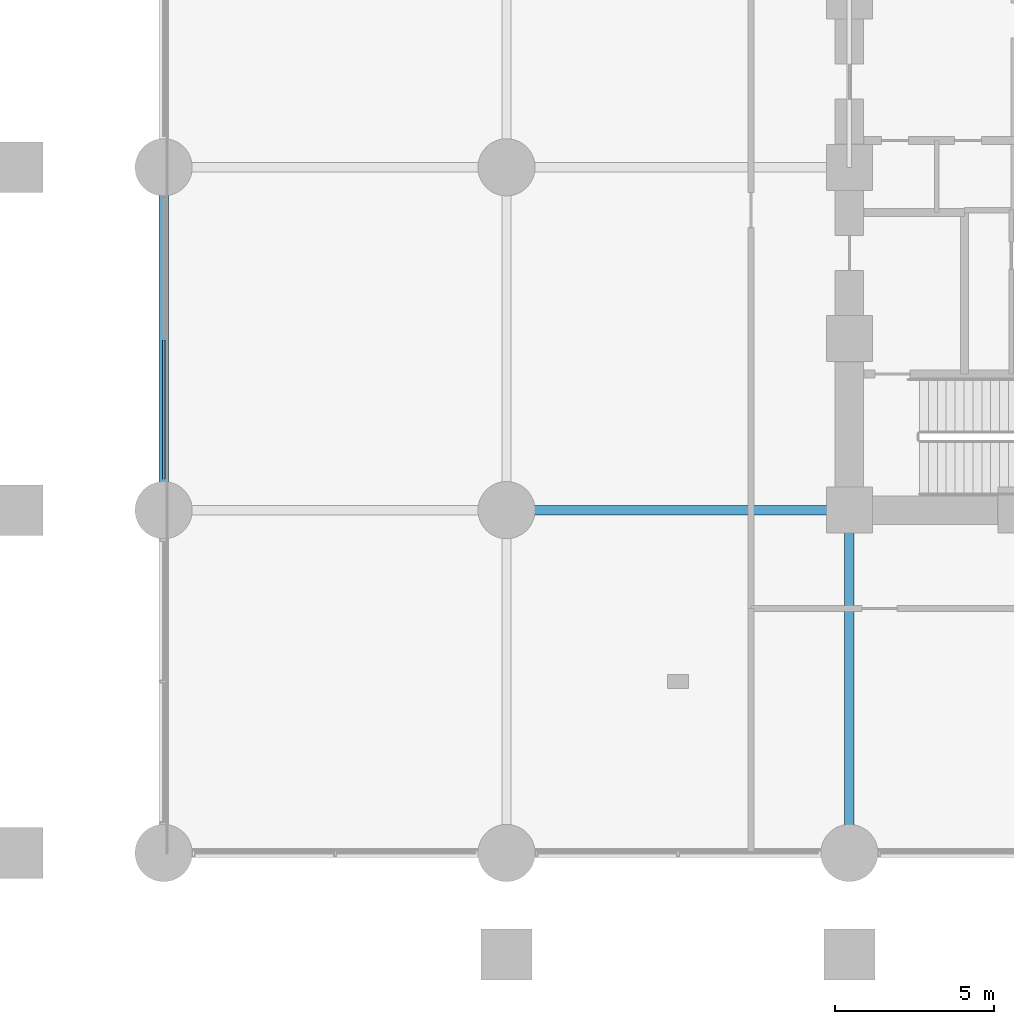
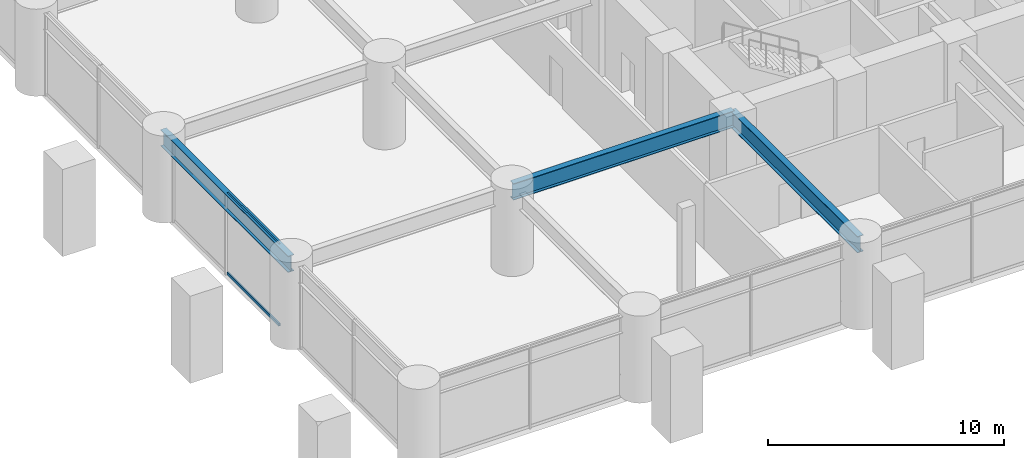
# One storey, part 5 of 31: 3 beams, 2 members, 1 element without a shape of its own.
"""IFC4 building model written with IfcOpenShell, lengths in metres."""

import ifcopenshell
import ifcopenshell.guid

model = None  # the IFC model being written
_history = None  # IfcOwnerHistory: only IFC2X3 demands one
_inside = {}  # id of a spatial element -> (the spatial element, [elements in it])
_under = {}  # id of a project, library or spatial element -> (it, [spatial elements below it])
_declared = {}  # id of a project -> (the project, [libraries it declares])
_typed = {}  # id of a type object -> (the type object, [elements of that type])
_made_of = {}  # id of a material, layer set ... -> (it, [elements and type objects made of it])


def new_model(schema):
    """Start an empty IFC model of exactly this schema.

    Asked for "IFC4X3", IfcOpenShell would pick the latest addendum, in which some entities
    have other attributes; the version numbers below select the first issue.
    IFC2X3 requires an IfcOwnerHistory on every rooted entity: one is made here for all.
    """
    global model, _history
    if schema == "IFC4X3":
        model = ifcopenshell.file(schema_version=(4, 3, 0, 0))
    else:
        model = ifcopenshell.file(schema=schema)
    _inside.clear()
    _under.clear()
    _declared.clear()
    _typed.clear()
    _made_of.clear()
    _history = None
    if model.schema == "IFC2X3":
        org = make("IfcOrganization", Name="unknown")
        user = make(
            "IfcPersonAndOrganization",
            ThePerson=make("IfcPerson", FamilyName="unknown"),
            TheOrganization=org,
        )
        app = make(
            "IfcApplication",
            ApplicationDeveloper=org,
            Version="unknown",
            ApplicationFullName="unknown",
            ApplicationIdentifier="unknown",
        )
        _history = make(
            "IfcOwnerHistory",
            OwningUser=user,
            OwningApplication=app,
            ChangeAction="ADDED",
            CreationDate=0,
        )
    return model


def make(cls, **values):
    """One entity of the class cls with the attributes given. An attribute that is None is left unset."""
    return model.create_entity(
        cls, **{name: value for name, value in values.items() if value is not None}
    )


def rooted(cls, **values):
    """An entity with a GlobalId (a new one), such as an element, a storey or a relation."""
    return make(cls, GlobalId=ifcopenshell.guid.new(), OwnerHistory=_history, **values)


def si_unit(unit_type, name, prefix=None):
    """IfcSIUnit, for example si_unit("LENGTHUNIT", "METRE", prefix="MILLI")."""
    return make("IfcSIUnit", UnitType=unit_type, Prefix=prefix, Name=name)


def assignment(units):
    """IfcUnitAssignment: the units of a project."""
    return None if units is None else make("IfcUnitAssignment", Units=units)


def point(xyz):
    """IfcCartesianPoint."""
    return None if xyz is None else make("IfcCartesianPoint", Coordinates=xyz)


def direction(xyz):
    """IfcDirection."""
    return None if xyz is None else make("IfcDirection", DirectionRatios=xyz)


def frame(location, z_axis=None, x_axis=None):
    """IfcAxis2Placement3D, a coordinate frame: its origin and axes. An axis left out is left unset."""
    return make(
        "IfcAxis2Placement3D",
        Location=point(location),
        Axis=direction(z_axis),
        RefDirection=direction(x_axis),
    )


def frame_2d(location, x_axis=None):
    """IfcAxis2Placement2D, a coordinate frame in the plane: its origin and x axis."""
    return make(
        "IfcAxis2Placement2D", Location=point(location), RefDirection=direction(x_axis)
    )


def origin():
    """The frame at (0, 0, 0) with its axes left unset."""
    return frame((0.0, 0.0, 0.0))


def origin_2d():
    """The frame at (0, 0) in the plane with its x axis left unset."""
    return frame_2d((0.0, 0.0))


def place(relative_to, where):
    """IfcLocalPlacement: puts the frame where relative to a parent placement (None: the world)."""
    return make(
        "IfcLocalPlacement", PlacementRelTo=relative_to, RelativePlacement=where
    )


def context(
    kind, dimensions, precision=None, world=None, true_north=None, identifier=None
):
    """IfcGeometricRepresentationContext, for example the 3D "Model" context."""
    return make(
        "IfcGeometricRepresentationContext",
        ContextIdentifier=identifier,
        ContextType=kind,
        CoordinateSpaceDimension=dimensions,
        Precision=precision,
        WorldCoordinateSystem=world,
        TrueNorth=true_north,
    )


def subcontext(parent, identifier, kind, view, scale=None):
    """IfcGeometricRepresentationSubContext, for example "Body" below "Model"."""
    return make(
        "IfcGeometricRepresentationSubContext",
        ContextIdentifier=identifier,
        ContextType=kind,
        ParentContext=parent,
        TargetScale=scale,
        TargetView=view,
    )


def project(units=None, contexts=None):
    """IfcProject with its units and contexts."""
    return rooted(
        "IfcProject",
        Name="project",
        RepresentationContexts=contexts,
        UnitsInContext=assignment(units),
    )


def spatial(cls, under=None, at=None, **own):
    """A site, building, storey or space (cls), placed at a placement, below another one or the project."""
    s = rooted(cls, ObjectPlacement=at, **own)
    if under is not None:
        _under.setdefault(under.id(), (under, []))[1].append(s)
    return s


def profile(cls, at=None, kind="AREA", **sizes):
    """A parametric profile (cls). Its sizes go by their IFC names, for example OverallWidth=200.0."""
    return make(cls, ProfileType=kind, Position=at, **sizes)


def hollow_rectangle(**sizes):
    """IfcRectangleHollowProfileDef."""
    return profile("IfcRectangleHollowProfileDef", **sizes)


def i_section(**sizes):
    """IfcIShapeProfileDef."""
    return profile("IfcIShapeProfileDef", **sizes)


def extrude(swept, where, along, depth):
    """IfcExtrudedAreaSolid: the profile swept, set in the frame where, extruded along a direction by depth."""
    return make(
        "IfcExtrudedAreaSolid",
        SweptArea=swept,
        Position=where,
        ExtrudedDirection=direction(along),
        Depth=depth,
    )


def shape(context_of_items, identifier, shape_type, items):
    """IfcShapeRepresentation: the items that make up one representation, for example the "Body"."""
    return make(
        "IfcShapeRepresentation",
        ContextOfItems=context_of_items,
        RepresentationIdentifier=identifier,
        RepresentationType=shape_type,
        Items=items,
    )


def material(Name=None, Category=None):
    """IfcMaterial."""
    return make("IfcMaterial", Name=Name, Category=Category)


def layer(
    of_material, thickness, ventilated=None, Name=None, Category=None, Priority=None
):
    """IfcMaterialLayer: one layer of a wall or slab, of a material (None: an air gap)."""
    return make(
        "IfcMaterialLayer",
        Material=of_material,
        LayerThickness=thickness,
        IsVentilated=ventilated,
        Name=Name,
        Category=Category,
        Priority=Priority,
    )


def layer_set(layers, Name=None):
    """IfcMaterialLayerSet."""
    return make("IfcMaterialLayerSet", MaterialLayers=layers, LayerSetName=Name)


def material_profile(
    of_material, cross_section, Name=None, Category=None, Priority=None
):
    """IfcMaterialProfile: a cross section and its material."""
    return make(
        "IfcMaterialProfile",
        Name=Name,
        Material=of_material,
        Profile=cross_section,
        Priority=Priority,
        Category=Category,
    )


def profile_set(profiles, Name=None, composite=None):
    """IfcMaterialProfileSet."""
    return make(
        "IfcMaterialProfileSet",
        Name=Name,
        MaterialProfiles=profiles,
        CompositeProfile=composite,
    )


def made_of(thing, what):
    """Note that an element or type object is made of a material, layer set ...; save() writes the relation."""
    if what is not None:
        _made_of.setdefault(what.id(), (what, []))[1].append(thing)
    return thing


def type_object(cls, material=None, **own):
    """A type object (cls), such as IfcWallType, which elements share."""
    return made_of(rooted(cls, **own), material)


def element(
    cls,
    number,
    at=None,
    inside=None,
    cuts=None,
    type_object=None,
    material=None,
    context=None,
    identifier="Body",
    shape_type=None,
    held_by="IfcProductDefinitionShape",
    body=None,
    shapes=None,
    **own,
):
    """One element of the class cls, such as IfcWall. Its Tag is "e" and its number.

    at: its placement. inside: the storey or other place that contains it. cuts: it is an
    opening in that element (IfcRelVoidsElement). A single representation is given by context,
    identifier, shape_type and body (its items); several are given by shapes. held_by: the class
    of the entity that holds the representations. save() writes the other relations.
    """
    e = rooted(cls, Tag="e%d" % number, ObjectPlacement=at, **own)
    if body is not None:
        shapes = [shape(context, identifier, shape_type, body)]
    if shapes is not None:
        e.Representation = make(held_by, Representations=shapes)
    if inside is not None:
        _inside.setdefault(inside.id(), (inside, []))[1].append(e)
    if cuts is not None:
        rooted(
            "IfcRelVoidsElement", RelatingBuildingElement=cuts, RelatedOpeningElement=e
        )
    if type_object is not None:
        _typed.setdefault(type_object.id(), (type_object, []))[1].append(e)
    return made_of(e, material)


def aggregate(whole, parts):
    """IfcRelAggregates: a whole, such as a stair, and the parts it consists of."""
    return rooted("IfcRelAggregates", RelatingObject=whole, RelatedObjects=parts)


def save(model, path):
    """Write the relations noted so far, then the file.

    IfcRelAggregates (storeys below a building ...), IfcRelContainedInSpatialStructure (elements
    in a storey), IfcRelDefinesByType, IfcRelAssociatesMaterial and IfcRelDeclares: one each for
    every whole, place, type object, material and project.
    """
    for whole, parts in _under.values():
        aggregate(whole, parts)
    for where, things in _inside.values():
        rooted(
            "IfcRelContainedInSpatialStructure",
            RelatedElements=things,
            RelatingStructure=where,
        )
    for kind, things in _typed.values():
        rooted("IfcRelDefinesByType", RelatedObjects=things, RelatingType=kind)
    for what, things in _made_of.values():
        rooted("IfcRelAssociatesMaterial", RelatedObjects=things, RelatingMaterial=what)
    for by, libraries in _declared.values():
        rooted("IfcRelDeclares", RelatingContext=by, RelatedDefinitions=libraries)
    model.write(path)


model = new_model("IFC4")

# Units and contexts
model_context = context("Model", 3, precision=1e-05, world=origin(), true_north=direction((0.0, 1.0)))
body_context = subcontext(model_context, "Body", "Model", "MODEL_VIEW")
ifc_project = project(units=[si_unit("LENGTHUNIT", "METRE"), si_unit("AREAUNIT", "SQUARE_METRE"), si_unit("VOLUMEUNIT", "CUBIC_METRE"), si_unit("PLANEANGLEUNIT", "RADIAN"), si_unit("MASSUNIT", "GRAM", prefix="KILO")], contexts=[model_context])

# Site, building, storey
site_placement = place(None, origin())
site = spatial("IfcSite", under=ifc_project, at=site_placement, CompositionType="ELEMENT")
building_placement = place(site_placement, origin())
building = spatial("IfcBuilding", under=site, at=building_placement, Name="Surkhivell Harbour Commons", CompositionType="ELEMENT")
storey_placement = place(building_placement, frame((0.0, 0.0, 4.5)))
storey = spatial("IfcBuildingStorey", under=building, at=storey_placement, Name="L01", CompositionType="ELEMENT", Elevation=4.5)

# Beams
ifc_material_1 = material(Name="Steel S460", Category="steel")
ifc_material_profile_1 = material_profile(ifc_material_1, i_section(OverallWidth=0.2939453125, OverallDepth=0.85107421875, WebThickness=0.01611328125, FlangeThickness=0.02685546875, at=origin_2d()), Name="UB838x292x226")
ifc_profile_set_1 = profile_set([ifc_material_profile_1], Name="Steel S460")
beam_type = type_object("IfcBeamType", Name="BM-SPN-838", PredefinedType="SPANDREL", material=ifc_profile_set_1)
for number, where, z_axis, x_axis, name in (
    (1, (-32.39990234375, -10.800048828125, 3.824462890625), (0.0, 1.0, 0.0), (-1.0, 0.0, 0.0), "L01 Framing Beam (-32.4,-10.8)"),
    (2, (-21.60009765625, -10.800048828125, 3.824462890625), (1.0, 0.0, 0.0), (0.0, 1.0, 0.0), "L01 Framing Beam (-21.6,-10.8)"),
    (3, (-10.800048828125, -21.60009765625, 3.824462890625), (0.0, 1.0, 0.0), (-1.0, 0.0, 0.0), "L01 Framing Beam (-10.8,-21.6)"),
):
    element("IfcBeam", number, at=place(storey_placement, frame(where, z_axis=z_axis, x_axis=x_axis)), inside=storey, type_object=beam_type, Name=name, PredefinedType="SPANDREL", context=body_context, shape_type="SweptSolid", body=[
        extrude(i_section(OverallWidth=0.2939453125, OverallDepth=0.85107421875, WebThickness=0.01611328125, FlangeThickness=0.02685546875, at=origin_2d()), origin(), (0.0, 0.0, 1.0), 10.800048828125),
    ])

# Curtain wall, members
ifc_material_2 = material(Name="Anodised pale-metal aluminium and insulated glazing", Category="aluminium")
ifc_layer = layer(ifc_material_2, 0.239990234375)
ifc_layer_set = layer_set([ifc_layer], Name="Anodised pale-metal aluminium and insulated glazing")
curtain_wall_type = type_object("IfcCurtainWallType", Name="CW-SYS-POD", PredefinedType="NOTDEFINED", material=ifc_layer_set)
curtain_wall_placement = place(storey_placement, origin())
curtain_wall = element("IfcCurtainWall", 4, at=curtain_wall_placement, inside=storey, type_object=curtain_wall_type, Name="L01 Curtain Wall CW-L01-P04", PredefinedType="NOTDEFINED")
ifc_material_3 = material(Name="Anodised pale-metal aluminium alloy 6063-T6", Category="aluminium")
ifc_material_profile_2 = material_profile(ifc_material_3, hollow_rectangle(XDim=0.074951171875, YDim=0.14990234375, WallThickness=0.00341796875, at=origin_2d()), Name="ALU-TRAN-75x150")
ifc_profile_set_2 = profile_set([ifc_material_profile_2], Name="Anodised pale-metal aluminium alloy 6063-T6")
member_type = type_object("IfcMemberType", Name="CWT-150", PredefinedType="USERDEFINED", material=ifc_profile_set_2)
member_1_placement = place(storey_placement, frame((-32.39990234375, -5.4375, 0.074951171875), z_axis=(0.0, -1.0, 0.0), x_axis=(1.0, 0.0, 0.0)))
member_1 = element("IfcMember", 5, at=member_1_placement, type_object=member_type, Name="CW-POD transom 6.1", ObjectType="TRANSOM", PredefinedType="USERDEFINED", context=body_context, shape_type="SweptSolid", body=[
    extrude(hollow_rectangle(XDim=0.074951171875, YDim=0.14990234375, WallThickness=0.00341796875, at=origin_2d()), origin(), (0.0, 0.0, 1.0), 4.385498046875),
])
member_2_placement = place(storey_placement, frame((-32.39990234375, -5.4375, 4.175048828125), z_axis=(0.0, -1.0, 0.0), x_axis=(1.0, 0.0, 0.0)))
member_2 = element("IfcMember", 6, at=member_2_placement, type_object=member_type, Name="CW-POD transom 6.2", ObjectType="TRANSOM", PredefinedType="USERDEFINED", context=body_context, shape_type="SweptSolid", body=[
    extrude(hollow_rectangle(XDim=0.074951171875, YDim=0.14990234375, WallThickness=0.00341796875, at=origin_2d()), origin(), (0.0, 0.0, 1.0), 4.385498046875),
])
aggregate(curtain_wall, [member_1, member_2])

save(model, "model.ifc")
